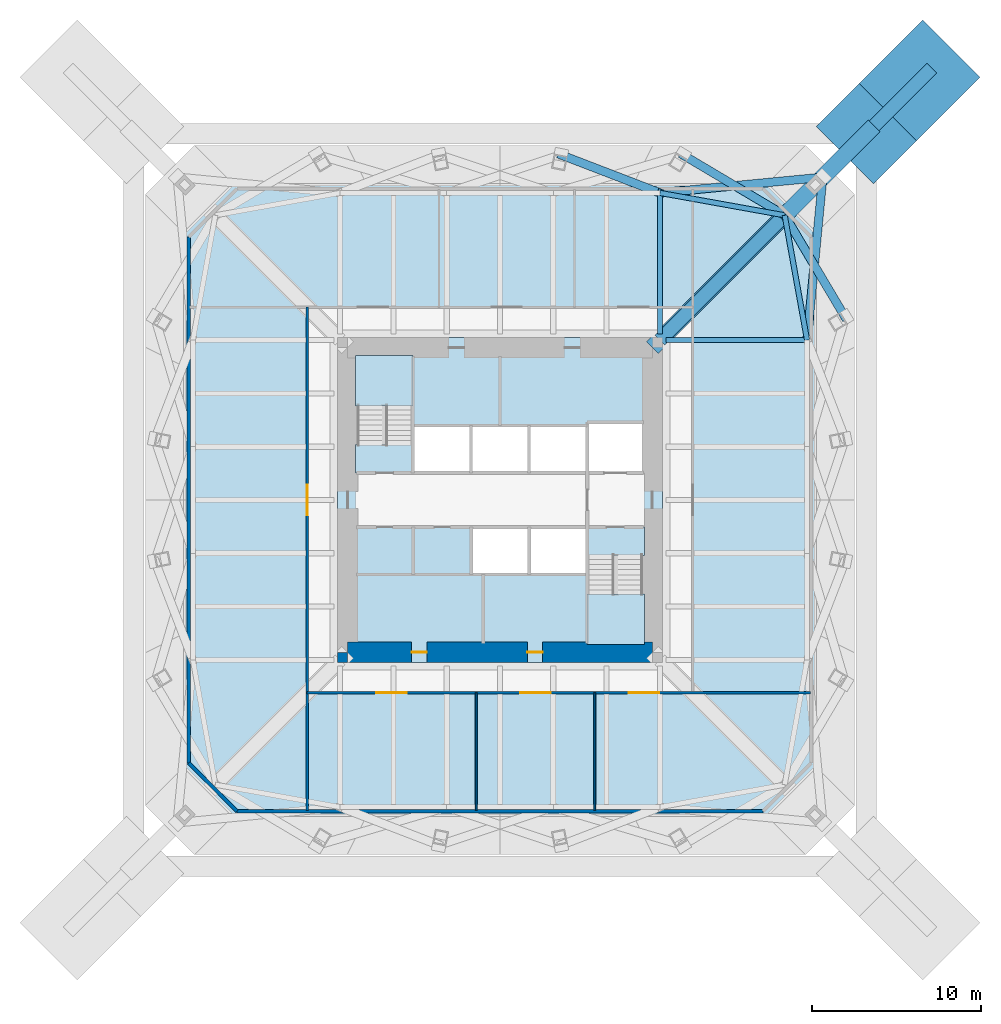
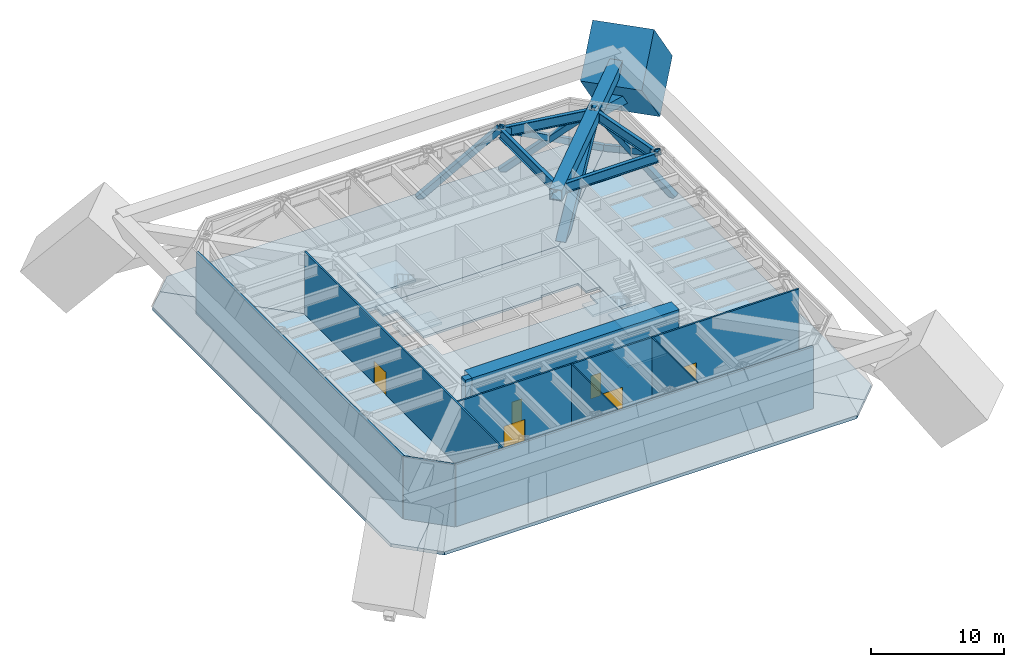
# One storey, part 3 of 6: 12 slabs, 10 members, 9 walls, 6 doors, 4 beams, 6 openings, 2 elements without a shape of their own.
"""IFC4 building model written with IfcOpenShell, lengths in metres."""

from ifc_helpers import new_model, si_unit, direction, frame, frame_2d, origin, origin_2d, place, context, subcontext, project, spatial, polyline, rectangle, hollow_rectangle, i_section, outline, extrude, material, layer, layer_set, constituent, constituent_set, material_profile, profile_set, type_object, element, fill, aggregate, save


model = new_model("IFC4")

# Units and contexts
model_context = context("Model", 3, precision=1e-05, world=origin(), true_north=direction((0.0, 1.0)))
body_context = subcontext(model_context, "Body", "Model", "MODEL_VIEW")
ifc_project = project(units=[si_unit("LENGTHUNIT", "METRE"), si_unit("AREAUNIT", "SQUARE_METRE"), si_unit("VOLUMEUNIT", "CUBIC_METRE"), si_unit("PLANEANGLEUNIT", "RADIAN"), si_unit("MASSUNIT", "GRAM", prefix="KILO")], contexts=[model_context])

# Site, building, storey
site_placement = place(None, origin())
site = spatial("IfcSite", under=ifc_project, at=site_placement, CompositionType="ELEMENT")
building_placement = place(site_placement, origin())
building = spatial("IfcBuilding", under=site, at=building_placement, Name="Iwan Alto Co-Living Towers", CompositionType="ELEMENT")
storey_placement = place(building_placement, frame((0.0, 0.0, 143.5)))
storey = spatial("IfcBuildingStorey", under=building, at=storey_placement, Name="L39", CompositionType="ELEMENT", Elevation=143.5)

# Beams
ifc_material_1 = material(Name="Steel ASTM A992 Gr 50", Category="steel")
ifc_material_profile_1 = material_profile(ifc_material_1, i_section(OverallWidth=0.307373046875, OverallDepth=0.927001953125, WebThickness=0.01953125, FlangeThickness=0.031982421875, at=origin_2d()), Name="W36X194")
ifc_profile_set_1 = profile_set([ifc_material_profile_1], Name="Steel ASTM A992 Gr 50")
beam_type_1 = type_object("IfcBeamType", Name="T1 BELT TRUSS CHORD W36X194", PredefinedType="BEAM", material=ifc_profile_set_1)
for number, where, z_axis, x_axis, name in (
    (1, (18.14990234375, 9.449951171875, 5.306396484375), (-0.17671181143, 0.98426263553, 0.0), (-0.98426263553, -0.17671181143, 0.0), "T1 edge beam E4 L40"),
    (2, (16.82568359375, 16.82568359375, 5.306396484375), (-0.98426263553, 0.17671181143, 0.0), (-0.17671181143, -0.98426263553, 0.0), "T1 edge beam CNE L40"),
):
    element("IfcBeam", number, at=place(storey_placement, frame(where, z_axis=z_axis, x_axis=x_axis)), inside=storey, type_object=beam_type_1, Name=name, PredefinedType="BEAM", context=body_context, shape_type="SweptSolid", body=[
        extrude(i_section(OverallWidth=0.307373046875, OverallDepth=0.927001953125, WebThickness=0.01953125, FlangeThickness=0.031982421875, at=origin_2d()), origin(), (0.0, 0.0, 1.0), 7.49365234375),
    ])

# Members
ifc_material_2 = material(Name="Steel ASTM A572 Gr 50", Category="steel")
ifc_material_profile_2 = material_profile(ifc_material_2, hollow_rectangle(XDim=0.5, YDim=0.5, WallThickness=0.031982421875, at=origin_2d()), Name="BOX 500X500X32")
ifc_profile_set_2 = profile_set([ifc_material_profile_2], Name="Steel ASTM A572 Gr 50")
member_type_1 = type_object("IfcMemberType", Name="T1 BELT TRUSS DIAGONAL BOX 500X500X32", PredefinedType="BRACE", material=ifc_profile_set_2)
member_1_placement = place(storey_placement, frame((20.39990234375, 10.800048828125, 0.0), z_axis=(-0.395738731505, 0.667160357396, 0.631100557681), x_axis=(-0.860074091201, -0.510169146112, 0.0)))
element("IfcMember", 3, at=member_1_placement, inside=storey, type_object=member_type_1, Name="T1 belt truss diagonal E4 L39 1", PredefinedType="BRACE", context=body_context, shape_type="SweptSolid", body=[
    extrude(hollow_rectangle(XDim=0.5, YDim=0.5, WallThickness=0.031982421875, at=origin_2d()), origin(), (0.0, 0.0, 1.0), 9.03173828125),
])
for number, where, z_axis, x_axis, name in (
    (4, (19.07568359375, 19.07568359375, 0.0), (-0.082474743391, -0.857524184509, 0.507789513169), (0.99540676225, -0.09573597896, 0.0), "T1 belt truss diagonal E4 L39 2"),
    (5, (19.07568359375, 19.07568359375, 0.0), (-0.857524184509, -0.082474743391, 0.507789513169), (0.09573597896, -0.99540676225, 0.0), "T1 belt truss diagonal CNE L39 1"),
):
    element("IfcMember", number, at=place(storey_placement, frame(where, z_axis=z_axis, x_axis=x_axis)), inside=storey, type_object=member_type_1, Name=name, PredefinedType="BRACE", context=body_context, shape_type="SweptSolid", body=[
        extrude(hollow_rectangle(XDim=0.5, YDim=0.5, WallThickness=0.031982421875, at=origin_2d()), origin(), (0.0, 0.0, 1.0), 11.22509765625),
    ])
member_2_placement = place(storey_placement, frame((10.800048828125, 20.39990234375, 0.0), z_axis=(0.667160357396, -0.395738731505, 0.631100557681), x_axis=(0.510169146112, 0.860074091201, 0.0)))
element("IfcMember", 6, at=member_2_placement, inside=storey, type_object=member_type_1, Name="T1 belt truss diagonal CNE L39 2", PredefinedType="BRACE", context=body_context, shape_type="SweptSolid", body=[
    extrude(hollow_rectangle(XDim=0.5, YDim=0.5, WallThickness=0.031982421875, at=origin_2d()), origin(), (0.0, 0.0, 1.0), 9.03173828125),
])
member_3_placement = place(storey_placement, frame((3.60009765625, 20.39990234375, 0.0), z_axis=(0.690502507157, -0.265584537622, 0.672808398422), x_axis=(0.358986909968, 0.933342594373, 0.0)))
element("IfcMember", 7, at=member_3_placement, inside=storey, type_object=member_type_1, Name="T1 belt truss diagonal N1 L39 2", PredefinedType="BRACE", context=body_context, shape_type="SweptSolid", body=[
    extrude(hollow_rectangle(XDim=0.5, YDim=0.5, WallThickness=0.031982421875, at=origin_2d()), origin(), (0.0, 0.0, 1.0), 8.471923828125),
])
ifc_material_3 = material(Name="Steel ASTM A572 Gr 50", Category="steel")
ifc_material_profile_3 = material_profile(ifc_material_3, hollow_rectangle(XDim=1.0, YDim=1.0, WallThickness=0.070068359375, at=origin_2d()), Name="BOX 1000X1000X70")
ifc_profile_set_3 = profile_set([ifc_material_profile_3], Name="Steel ASTM A572 Gr 50")
member_type_2 = type_object("IfcMemberType", Name="T1 OUTRIGGER CHORD BOX 1000X1000X70", PredefinedType="CHORD", material=ifc_profile_set_3)
member_4_placement = place(storey_placement, frame((9.0, 9.0, 5.27001953125), z_axis=(0.707106781187, 0.707106781187, 0.0), x_axis=(-0.707106781187, 0.707106781187, 0.0)))
element("IfcMember", 8, at=member_4_placement, inside=storey, type_object=member_type_2, Name="T1 outrigger NE L39 top chord 1", PredefinedType="CHORD", context=body_context, shape_type="SweptSolid", body=[
    extrude(hollow_rectangle(XDim=1.0, YDim=1.0, WallThickness=0.070068359375, at=origin_2d()), origin(), (0.0, 0.0, 1.0), 11.067138671875),
])
member_5_placement = place(storey_placement, frame((16.82568359375, 16.82568359375, 5.27001953125), z_axis=(0.707106781187, 0.707106781187, 0.0), x_axis=(-0.707106781187, 0.707106781187, 0.0)))
element("IfcMember", 9, at=member_5_placement, inside=storey, type_object=member_type_2, Name="T1 outrigger NE L39 top chord 2", PredefinedType="CHORD", context=body_context, shape_type="SweptSolid", body=[
    extrude(hollow_rectangle(XDim=1.0, YDim=1.0, WallThickness=0.070068359375, at=origin_2d()), origin(), (0.0, 0.0, 1.0), 7.4677734375),
])
ifc_material_4 = material(Name="Steel ASTM A572 Gr 42", Category="steel")
ifc_material_profile_4 = material_profile(ifc_material_4, hollow_rectangle(XDim=0.800048828125, YDim=0.800048828125, WallThickness=0.139892578125, at=origin_2d()), Name="BOX 800X800X140")
ifc_profile_set_4 = profile_set([ifc_material_profile_4], Name="Steel ASTM A572 Gr 42")
member_type_3 = type_object("IfcMemberType", Name="T1 OUTRIGGER DIAGONAL BOX 800X800X140", PredefinedType="BRACE", material=ifc_profile_set_4)
member_6_placement = place(storey_placement, frame((9.60009765625, 9.60009765625, -0.800048828125), z_axis=(0.607935427787, 0.607935427787, 0.51071423642), x_axis=(-0.707106781187, 0.707106781187, 0.0)))
element("IfcMember", 10, at=member_6_placement, inside=storey, type_object=member_type_3, Name="T1 outrigger NE L39 diagonal 1", PredefinedType="BRACE", context=body_context, shape_type="SweptSolid", body=[
    extrude(hollow_rectangle(XDim=0.800048828125, YDim=0.800048828125, WallThickness=0.139892578125, at=origin_2d()), origin(), (0.0, 0.0, 1.0), 11.885498046875),
])
member_7_placement = place(storey_placement, frame((16.82568359375, 16.82568359375, 5.27001953125), z_axis=(0.632305696112, 0.632305696112, -0.447637144716), x_axis=(-0.707106781187, 0.707106781187, 0.0)))
element("IfcMember", 11, at=member_7_placement, inside=storey, type_object=member_type_3, Name="T1 outrigger NE L39 diagonal 2", PredefinedType="BRACE", context=body_context, shape_type="SweptSolid", body=[
    extrude(hollow_rectangle(XDim=0.800048828125, YDim=0.800048828125, WallThickness=0.139892578125, at=origin_2d()), origin(), (0.0, 0.0, 1.0), 13.560302734375),
])

# Beams
ifc_material_5 = material(Name="Steel ASTM A992 Gr 50", Category="steel")
ifc_material_profile_5 = material_profile(ifc_material_5, i_section(OverallWidth=0.307373046875, OverallDepth=0.927001953125, WebThickness=0.01953125, FlangeThickness=0.031982421875, at=origin_2d()), Name="W36X194")
ifc_profile_set_5 = profile_set([ifc_material_profile_5], Name="Steel ASTM A992 Gr 50")
beam_type_2 = type_object("IfcBeamType", Name="T1 RADIAL BEAM W36X194", PredefinedType="BEAM", material=ifc_profile_set_5)
for number, where, z_axis, x_axis, name in (
    (12, (18.14990234375, 9.449951171875, 5.306396484375), (-1.0, 0.0, 0.0), (0.0, -1.0, 0.0), "T1 radial beam E4 L40"),
    (13, (9.449951171875, 18.14990234375, 5.306396484375), (0.0, -1.0, 0.0), (1.0, 0.0, 0.0), "T1 radial beam N1 L40"),
):
    element("IfcBeam", number, at=place(storey_placement, frame(where, z_axis=z_axis, x_axis=x_axis)), inside=storey, type_object=beam_type_2, Name=name, PredefinedType="BEAM", context=body_context, shape_type="SweptSolid", body=[
        extrude(i_section(OverallWidth=0.307373046875, OverallDepth=0.927001953125, WebThickness=0.01953125, FlangeThickness=0.031982421875, at=origin_2d()), origin(), (0.0, 0.0, 1.0), 8.33154296875),
    ])

# Member
ifc_material_6 = material(Name="Concrete f'c 70 MPa", Category="concrete")
ifc_material_profile_6 = material_profile(ifc_material_6, rectangle(XDim=4.800048828125, YDim=4.800048828125, at=origin_2d()), Name="RC 4800X4800")
ifc_profile_set_6 = profile_set([ifc_material_profile_6], Name="Concrete f'c 70 MPa")
member_type_4 = type_object("IfcMemberType", Name="T1 RAKING MEGA COLUMN RC 4800X4800", PredefinedType="MEMBER", material=ifc_profile_set_6)
member_8_placement = place(storey_placement, frame((25.39990234375, 25.39990234375, 0.0), z_axis=(-0.468292905791, -0.468292905791, 0.749268649265), x_axis=(0.707106781187, -0.707106781187, 0.0)))
element("IfcMember", 14, at=member_8_placement, inside=storey, type_object=member_type_4, Name="T1 raking mega column NE L39", PredefinedType="MEMBER", context=body_context, shape_type="SweptSolid", body=[
    extrude(rectangle(XDim=4.800048828125, YDim=4.800048828125, at=origin_2d()), origin(), (0.0, 0.0, 1.0), 8.0078125),
    extrude(i_section(OverallWidth=0.4775390625, OverallDepth=0.599365234375, WebThickness=0.10009765625, FlangeThickness=0.139892578125, at=origin_2d()), origin(), (0.0, 0.0, 1.0), 8.0078125),
])

# Slabs
ifc_material_7 = material(Name="Concrete f'c 30 MPa", Category="concrete")
ifc_layer_1 = layer(ifc_material_7, 0.199951171875)
ifc_layer_set_1 = layer_set([ifc_layer_1], Name="CORE FLOOR SLAB 200")
slab_type_1 = type_object("IfcSlabType", Name="CORE FLOOR SLAB 200", PredefinedType="FLOOR", material=ifc_layer_set_1)
slab_1_placement = place(storey_placement, frame((0.0, 0.0, -0.199951171875)))
element("IfcSlab", 15, at=slab_1_placement, inside=storey, type_object=slab_type_1, Name="T1 core floor and outrigger diaphragm L39", PredefinedType="FLOOR", context=body_context, shape_type="SweptSolid", body=[
    extrude(outline(polyline([(5.14990234375, -1.60009765625), (1.72509765625, -1.60009765625), (-1.699951171875, -1.60009765625), (-1.699951171875, -4.39990234375), (1.72509765625, -4.39990234375), (5.14990234375, -4.39990234375), (5.14990234375, -8.39990234375), (6.360107421875, -8.39990234375), (6.360107421875, -9.60009765625), (-9.60009765625, -9.60009765625), (-9.60009765625, 4.47998046875), (-8.39990234375, 4.47998046875), (-8.39990234375, 3.27001953125), (-5.14990234375, 3.27001953125), (-5.14990234375, 1.60009765625), (-1.717041015625, 1.60009765625), (1.717041015625, 1.60009765625), (5.14990234375, 1.60009765625), (8.39990234375, 1.60009765625), (8.39990234375, 2.81005859375), (9.60009765625, 2.81005859375), (9.60009765625, -4.47998046875), (8.39990234375, -4.47998046875), (8.39990234375, -3.27001953125), (5.14990234375, -3.27001953125), (5.14990234375, -1.60009765625)])), origin(), (0.0, 0.0, 1.0), 0.199951171875),
])
slab_2_placement = place(storey_placement, frame((0.0, 0.0, -0.199951171875)))
element("IfcSlab", 16, at=slab_2_placement, inside=storey, type_object=slab_type_1, Name="T1 core floor and outrigger diaphragm L39", PredefinedType="FLOOR", context=body_context, shape_type="SweptSolid", body=[
    extrude(outline(polyline([(1.717041015625, 4.39990234375), (-1.717041015625, 4.39990234375), (-5.14990234375, 4.39990234375), (-5.14990234375, 8.39990234375), (-6.360107421875, 8.39990234375), (-6.360107421875, 9.60009765625), (9.60009765625, 9.60009765625), (9.60009765625, 3.389892578125), (8.39990234375, 3.389892578125), (8.39990234375, 4.60009765625), (5.14990234375, 4.60009765625), (5.14990234375, 4.39990234375), (1.717041015625, 4.39990234375)])), origin(), (0.0, 0.0, 1.0), 0.199951171875),
])

# Stair, slabs
ifc_material_8 = material(Name="Steel ASTM A36", Category="steel")
ifc_constituent_1 = constituent(ifc_material_8, Name="Stringers", Category="LoadBearing")
ifc_material_9 = material(Name="Concrete f'c 30 MPa", Category="concrete")
ifc_constituent_2 = constituent(ifc_material_9, Name="Tread fill", Category="Finish")
ifc_constituent_set = constituent_set(constituents=[ifc_constituent_1, ifc_constituent_2], Name="STAIR 6000 FOUR-FLIGHT T1 CORE")
stair_type = type_object("IfcStairType", Name="STAIR 6000 FOUR-FLIGHT T1 CORE", PredefinedType="HALF_TURN_STAIR", material=ifc_constituent_set)
stair_1_placement = place(storey_placement, origin())
stair_1 = element("IfcStair", 17, at=stair_1_placement, inside=storey, type_object=stair_type, Name="Stair T1-S1 L39 to L40", PredefinedType="HALF_TURN_STAIR")
ifc_material_10 = material(Name="Concrete f'c 30 MPa", Category="concrete")
ifc_layer_2 = layer(ifc_material_10, 0.199951171875)
ifc_layer_set_2 = layer_set([ifc_layer_2], Name="STAIR LANDING 200")
slab_type_2 = type_object("IfcSlabType", Name="STAIR LANDING 200", PredefinedType="LANDING", material=ifc_layer_set_2)
slab_3_placement = place(storey_placement, frame((0.0, 0.0, 1.300048828125)))
slab_3 = element("IfcSlab", 18, at=slab_3_placement, type_object=slab_type_2, Name="T1-S1 landing 1", PredefinedType="LANDING", context=body_context, shape_type="SweptSolid", body=[
    extrude(outline(polyline([(-8.550048828125, 5.570068359375), (-8.550048828125, 8.550048828125), (-5.14990234375, 8.550048828125), (-5.14990234375, 5.570068359375), (-8.550048828125, 5.570068359375)])), origin(), (0.0, 0.0, 1.0), 0.199951171875),
])
slab_4_placement = place(storey_placement, frame((0.0, 0.0, 2.800048828125)))
slab_4 = element("IfcSlab", 19, at=slab_4_placement, type_object=slab_type_2, Name="T1-S1 landing 2", PredefinedType="LANDING", context=body_context, shape_type="SweptSolid", body=[
    extrude(outline(polyline([(-8.550048828125, 1.60009765625), (-8.550048828125, 3.27001953125), (-5.14990234375, 3.27001953125), (-5.14990234375, 1.60009765625), (-8.550048828125, 1.60009765625)])), origin(), (0.0, 0.0, 1.0), 0.199951171875),
])
slab_5_placement = place(storey_placement, frame((0.0, 0.0, 4.300048828125)))
slab_5 = element("IfcSlab", 20, at=slab_5_placement, type_object=slab_type_2, Name="T1-S1 landing 3", PredefinedType="LANDING", context=body_context, shape_type="SweptSolid", body=[
    extrude(outline(polyline([(-8.550048828125, 5.570068359375), (-8.550048828125, 8.550048828125), (-5.14990234375, 8.550048828125), (-5.14990234375, 5.570068359375), (-8.550048828125, 5.570068359375)])), origin(), (0.0, 0.0, 1.0), 0.199951171875),
])
aggregate(stair_1, [slab_3, slab_4, slab_5])

stair_2_placement = place(storey_placement, origin())
stair_2 = element("IfcStair", 21, at=stair_2_placement, inside=storey, type_object=stair_type, Name="Stair T1-S2 L39 to L40", PredefinedType="HALF_TURN_STAIR")
slab_6_placement = place(storey_placement, frame((0.0, 0.0, 1.300048828125)))
slab_6 = element("IfcSlab", 22, at=slab_6_placement, type_object=slab_type_2, Name="T1-S2 landing 1", PredefinedType="LANDING", context=body_context, shape_type="SweptSolid", body=[
    extrude(outline(polyline([(5.14990234375, -5.570068359375), (5.14990234375, -8.550048828125), (8.550048828125, -8.550048828125), (8.550048828125, -5.570068359375), (5.14990234375, -5.570068359375)])), origin(), (0.0, 0.0, 1.0), 0.199951171875),
])
slab_7_placement = place(storey_placement, frame((0.0, 0.0, 2.800048828125)))
slab_7 = element("IfcSlab", 23, at=slab_7_placement, type_object=slab_type_2, Name="T1-S2 landing 2", PredefinedType="LANDING", context=body_context, shape_type="SweptSolid", body=[
    extrude(outline(polyline([(5.14990234375, -1.60009765625), (5.14990234375, -3.27001953125), (8.550048828125, -3.27001953125), (8.550048828125, -1.60009765625), (5.14990234375, -1.60009765625)])), origin(), (0.0, 0.0, 1.0), 0.199951171875),
])
slab_8_placement = place(storey_placement, frame((0.0, 0.0, 4.300048828125)))
slab_8 = element("IfcSlab", 24, at=slab_8_placement, type_object=slab_type_2, Name="T1-S2 landing 3", PredefinedType="LANDING", context=body_context, shape_type="SweptSolid", body=[
    extrude(outline(polyline([(5.14990234375, -5.570068359375), (5.14990234375, -8.550048828125), (8.550048828125, -8.550048828125), (8.550048828125, -5.570068359375), (5.14990234375, -5.570068359375)])), origin(), (0.0, 0.0, 1.0), 0.199951171875),
])
aggregate(stair_2, [slab_6, slab_7, slab_8])

# Slabs
ifc_material_11 = material(Name="Concrete f'c 30 MPa", Category="concrete")
ifc_layer_3 = layer(ifc_material_11, 0.300048828125)
ifc_layer_set_3 = layer_set([ifc_layer_3], Name="T1 FLOOR SLAB 300")
slab_type_3 = type_object("IfcSlabType", Name="T1 FLOOR SLAB 300", PredefinedType="FLOOR", material=ifc_layer_set_3)
slab_9_placement = place(storey_placement, frame((0.0, 0.0, -0.300048828125)))
element("IfcSlab", 25, at=slab_9_placement, inside=storey, type_object=slab_type_3, Name="T1 floor slab L39 S pour", PredefinedType="FLOOR", context=body_context, shape_type="SweptSolid", body=[
    extrude(outline(polyline([(17.94140625, -20.89990234375), (-17.94140625, -20.89990234375), (-19.420654296875, -19.420654296875), (-9.60009765625, -9.60009765625), (9.60009765625, -9.60009765625), (19.420654296875, -19.420654296875), (17.94140625, -20.89990234375)])), origin(), (0.0, 0.0, 1.0), 0.300048828125),
])
slab_10_placement = place(storey_placement, frame((0.0, 0.0, -0.300048828125)))
element("IfcSlab", 26, at=slab_10_placement, inside=storey, type_object=slab_type_3, Name="T1 floor slab L39 E pour", PredefinedType="FLOOR", context=body_context, shape_type="SweptSolid", body=[
    extrude(outline(polyline([(20.89990234375, 17.94140625), (20.89990234375, -17.94140625), (19.420654296875, -19.420654296875), (9.60009765625, -9.60009765625), (9.60009765625, 9.60009765625), (19.420654296875, 19.420654296875), (20.89990234375, 17.94140625)])), origin(), (0.0, 0.0, 1.0), 0.300048828125),
])
slab_11_placement = place(storey_placement, frame((0.0, 0.0, -0.300048828125)))
element("IfcSlab", 27, at=slab_11_placement, inside=storey, type_object=slab_type_3, Name="T1 floor slab L39 N pour", PredefinedType="FLOOR", context=body_context, shape_type="SweptSolid", body=[
    extrude(outline(polyline([(-17.94140625, 20.89990234375), (17.94140625, 20.89990234375), (19.420654296875, 19.420654296875), (9.60009765625, 9.60009765625), (-9.60009765625, 9.60009765625), (-19.420654296875, 19.420654296875), (-17.94140625, 20.89990234375)])), origin(), (0.0, 0.0, 1.0), 0.300048828125),
])
slab_12_placement = place(storey_placement, frame((0.0, 0.0, -0.300048828125)))
element("IfcSlab", 28, at=slab_12_placement, inside=storey, type_object=slab_type_3, Name="T1 floor slab L39 W pour", PredefinedType="FLOOR", context=body_context, shape_type="SweptSolid", body=[
    extrude(outline(polyline([(-20.89990234375, 17.94140625), (-19.420654296875, 19.420654296875), (-9.60009765625, 9.60009765625), (-9.60009765625, -9.60009765625), (-19.420654296875, -19.420654296875), (-20.89990234375, -17.94140625), (-20.89990234375, 17.94140625)])), origin(), (0.0, 0.0, 1.0), 0.300048828125),
])

# Wall, openings, doors
ifc_material_12 = material(Name="Gypsum board")
ifc_layer_4 = layer(ifc_material_12, 0.02490234375, Name="Board", Category="Finish")
ifc_material_13 = material(Name="Steel ASTM A1003 ST33H cold-formed studs", Category="steel")
ifc_layer_5 = layer(ifc_material_13, 0.10009765625, Name="Studs", Category="Framing")
ifc_layer_6 = layer(ifc_material_12, 0.02490234375, Name="Board", Category="Finish")
ifc_layer_set_4 = layer_set([ifc_layer_4, ifc_layer_5, ifc_layer_6], Name="CORRIDOR WALL 150")
wall_type_1 = type_object("IfcWallType", Name="CORRIDOR WALL 150", PredefinedType="PARTITIONING", material=ifc_layer_set_4)
wall_1_placement = place(storey_placement, frame((-11.39990234375, -11.39990234375, 0.0), z_axis=(0.0, 0.0, 1.0), x_axis=(1.0, 0.0, 0.0)))
wall_1 = element("IfcWall", 29, at=wall_1_placement, inside=storey, type_object=wall_type_1, Name="Partition L39", PredefinedType="PARTITIONING", context=body_context, shape_type="SweptSolid", body=[
    extrude(rectangle(XDim=29.739990234375, YDim=0.14990234375, at=frame_2d((14.8701171875, 0.0))), origin(), (0.0, 0.0, 1.0), 5.77001953125),
])
opening_1_placement = place(wall_1_placement, frame((4.10009765625, 0.0, 0.0)))
opening_1 = element("IfcOpeningElement", 30, at=opening_1_placement, cuts=wall_1, Name="Opening D9", PredefinedType="OPENING", context=body_context, shape_type="SweptSolid", body=[
    extrude(rectangle(XDim=1.800048828125, YDim=2.10009765625, at=frame_2d((0.89990234375, 1.050048828125))), frame((0.0, 0.0849609375, 0.0), z_axis=(0.0, -1.0, 0.0), x_axis=(1.0, 0.0, 0.0)), (0.0, 0.0, 1.0), 0.169921875),
])
opening_2_placement = place(wall_1_placement, frame((12.60009765625, 0.0, 0.0)))
opening_2 = element("IfcOpeningElement", 31, at=opening_2_placement, cuts=wall_1, Name="Opening D9", PredefinedType="OPENING", context=body_context, shape_type="SweptSolid", body=[
    extrude(rectangle(XDim=1.800048828125, YDim=2.10009765625, at=frame_2d((0.89990234375, 1.050048828125))), frame((0.0, 0.0849609375, 0.0), z_axis=(0.0, -1.0, 0.0), x_axis=(1.0, 0.0, 0.0)), (0.0, 0.0, 1.0), 0.169921875),
])
opening_3_placement = place(wall_1_placement, frame((19.0, 0.0, 0.0)))
opening_3 = element("IfcOpeningElement", 32, at=opening_3_placement, cuts=wall_1, Name="Opening D9", PredefinedType="OPENING", context=body_context, shape_type="SweptSolid", body=[
    extrude(rectangle(XDim=1.800048828125, YDim=2.10009765625, at=frame_2d((0.89990234375, 1.050048828125))), frame((0.0, 0.0849609375, 0.0), z_axis=(0.0, -1.0, 0.0), x_axis=(1.0, 0.0, 0.0)), (0.0, 0.0, 1.0), 0.169921875),
])
ifc_material_14 = material(Name="Steel frame with timber leaf", Category="steel")
door_type_1 = type_object("IfcDoorType", Name="LOUNGE DOOR FD30S 1800X2100", OperationType="DOUBLE_DOOR_SINGLE_SWING", PredefinedType="DOOR", material=ifc_material_14)
door_1_placement = place(opening_1_placement, frame((1.800048828125, 0.0, 0.0), z_axis=(0.0, 0.0, 1.0), x_axis=(-1.0, 0.0, 0.0)))
door_1 = element("IfcDoor", 33, at=door_1_placement, inside=storey, type_object=door_type_1, Name="Water tank room door L39", OperationType="DOUBLE_DOOR_SINGLE_SWING", OverallHeight=2.10009765625, OverallWidth=1.800048828125, PredefinedType="DOOR", context=body_context, shape_type="SweptSolid", body=[
    extrude(rectangle(XDim=1.800048828125, YDim=2.10009765625, at=frame_2d((0.89990234375, 1.050048828125))), frame((0.0, 0.02490234375, 0.0), z_axis=(0.0, -1.0, 0.0), x_axis=(1.0, 0.0, 0.0)), (0.0, 0.0, 1.0), 0.050048828125),
])
fill(opening_1, door_1)
door_2_placement = place(opening_2_placement, frame((1.800048828125, 0.0, 0.0), z_axis=(0.0, 0.0, 1.0), x_axis=(-1.0, 0.0, 0.0)))
door_2 = element("IfcDoor", 34, at=door_2_placement, inside=storey, type_object=door_type_1, Name="Plant room (heat exchangers) door L39", OperationType="DOUBLE_DOOR_SINGLE_SWING", OverallHeight=2.10009765625, OverallWidth=1.800048828125, PredefinedType="DOOR", context=body_context, shape_type="SweptSolid", body=[
    extrude(rectangle(XDim=1.800048828125, YDim=2.10009765625, at=frame_2d((0.89990234375, 1.050048828125))), frame((0.0, 0.02490234375, 0.0), z_axis=(0.0, -1.0, 0.0), x_axis=(1.0, 0.0, 0.0)), (0.0, 0.0, 1.0), 0.050048828125),
])
fill(opening_2, door_2)
door_3_placement = place(opening_3_placement, frame((1.800048828125, 0.0, 0.0), z_axis=(0.0, 0.0, 1.0), x_axis=(-1.0, 0.0, 0.0)))
door_3 = element("IfcDoor", 35, at=door_3_placement, inside=storey, type_object=door_type_1, Name="Plant room (pumps) door L39", OperationType="DOUBLE_DOOR_SINGLE_SWING", OverallHeight=2.10009765625, OverallWidth=1.800048828125, PredefinedType="DOOR", context=body_context, shape_type="SweptSolid", body=[
    extrude(rectangle(XDim=1.800048828125, YDim=2.10009765625, at=frame_2d((0.89990234375, 1.050048828125))), frame((0.0, 0.02490234375, 0.0), z_axis=(0.0, -1.0, 0.0), x_axis=(1.0, 0.0, 0.0)), (0.0, 0.0, 1.0), 0.050048828125),
])
fill(opening_3, door_3)

# Wall, opening, door
wall_2_placement = place(storey_placement, frame((-11.39990234375, -18.340087890625, 0.0), z_axis=(0.0, 0.0, 1.0), x_axis=(0.0, 1.0, 0.0)))
wall_2 = element("IfcWall", 36, at=wall_2_placement, inside=storey, type_object=wall_type_1, Name="Partition L39", PredefinedType="PARTITIONING", context=body_context, shape_type="SweptSolid", body=[
    extrude(rectangle(XDim=29.739990234375, YDim=0.14990234375, at=frame_2d((14.8701171875, 0.0))), origin(), (0.0, 0.0, 1.0), 5.77001953125),
])
opening_4_placement = place(wall_2_placement, frame((17.43994140625, 0.0, 0.0)))
opening_4 = element("IfcOpeningElement", 37, at=opening_4_placement, cuts=wall_2, Name="Opening D9", PredefinedType="OPENING", context=body_context, shape_type="SweptSolid", body=[
    extrude(rectangle(XDim=1.800048828125, YDim=2.10009765625, at=frame_2d((0.89990234375, 1.050048828125))), frame((0.0, 0.0849609375, 0.0), z_axis=(0.0, -1.0, 0.0), x_axis=(1.0, 0.0, 0.0)), (0.0, 0.0, 1.0), 0.169921875),
])
door_4_placement = place(opening_4_placement, frame((1.800048828125, 0.0, 0.0), z_axis=(0.0, 0.0, 1.0), x_axis=(-1.0, 0.0, 0.0)))
door_4 = element("IfcDoor", 38, at=door_4_placement, inside=storey, type_object=door_type_1, Name="Refuge area door L39", OperationType="DOUBLE_DOOR_SINGLE_SWING", OverallHeight=2.10009765625, OverallWidth=1.800048828125, PredefinedType="DOOR", context=body_context, shape_type="SweptSolid", body=[
    extrude(rectangle(XDim=1.800048828125, YDim=2.10009765625, at=frame_2d((0.89990234375, 1.050048828125))), frame((0.0, 0.02490234375, 0.0), z_axis=(0.0, -1.0, 0.0), x_axis=(1.0, 0.0, 0.0)), (0.0, 0.0, 1.0), 0.050048828125),
])
fill(opening_4, door_4)

# Walls
ifc_layer_7 = layer(ifc_material_12, 0.012451171875, Name="Board", Category="Finish")
ifc_layer_8 = layer(ifc_material_13, 0.074951171875, Name="Studs", Category="Framing")
ifc_layer_9 = layer(ifc_material_12, 0.012451171875, Name="Board", Category="Finish")
ifc_layer_set_5 = layer_set([ifc_layer_7, ifc_layer_8, ifc_layer_9], Name="PARTITION 100")
wall_type_2 = type_object("IfcWallType", Name="PARTITION 100", PredefinedType="PARTITIONING", material=ifc_layer_set_5)
for number, where, z_axis, x_axis, name in (
    (39, (5.60009765625, -18.340087890625, 0.0), (0.0, 0.0, 1.0), (0.0, 1.0, 0.0), "Partition L39"),
    (40, (-1.39990234375, -18.340087890625, 0.0), (0.0, 0.0, 1.0), (0.0, 1.0, 0.0), "Partition L39"),
):
    element("IfcWall", number, at=place(storey_placement, frame(where, z_axis=z_axis, x_axis=x_axis)), inside=storey, type_object=wall_type_2, Name=name, PredefinedType="PARTITIONING", context=body_context, shape_type="SweptSolid", body=[
        extrude(rectangle(XDim=6.940185546875, YDim=0.10009765625, at=frame_2d((3.47021484375, 0.0))), origin(), (0.0, 0.0, 1.0), 5.77001953125),
    ])
ifc_material_15 = material(Name="Aluminium 6063-T6 bronze anodised", Category="aluminium")
ifc_layer_10 = layer(ifc_material_15, 0.050048828125, Name="Louvred screen", Category="Finish")
ifc_layer_11 = layer(ifc_material_13, 0.14990234375, Name="Studs", Category="Framing")
ifc_layer_set_6 = layer_set([ifc_layer_10, ifc_layer_11], Name="PLANT PLENUM WALL 200")
wall_type_3 = type_object("IfcWallType", Name="PLANT PLENUM WALL 200", PredefinedType="PARTITIONING", material=ifc_layer_set_6)
for number, where, z_axis, x_axis, name in (
    (41, (-15.544921875, -18.39990234375, 0.0), (0.0, 0.0, 1.0), (1.0, 0.0, 0.0), "T1 plant plenum wall L39 1"),
    (42, (-18.39990234375, 15.544921875, 0.0), (0.0, 0.0, 1.0), (0.0, -1.0, 0.0), "T1 plant plenum wall L39 7"),
):
    element("IfcWall", number, at=place(storey_placement, frame(where, z_axis=z_axis, x_axis=x_axis)), inside=storey, type_object=wall_type_3, Name=name, PredefinedType="PARTITIONING", context=body_context, shape_type="SweptSolid", body=[
        extrude(rectangle(XDim=31.08984375, YDim=0.199951171875, at=frame_2d((15.544921875, 0.0))), origin(), (0.0, 0.0, 1.0), 5.699951171875),
    ])
wall_3_placement = place(storey_placement, frame((-18.39990234375, -15.544921875, 0.0), z_axis=(0.0, 0.0, 1.0), x_axis=(0.707106781187, -0.707106781187, 0.0)))
element("IfcWall", 43, at=wall_3_placement, inside=storey, type_object=wall_type_3, Name="T1 plant plenum wall L39 8", PredefinedType="PARTITIONING", context=body_context, shape_type="SweptSolid", body=[
    extrude(rectangle(XDim=4.03759765625, YDim=0.199951171875, at=frame_2d((2.018798828125, 0.0))), origin(), (0.0, 0.0, 1.0), 5.699951171875),
])
ifc_material_16 = material(Name="Concrete f'c 70 MPa", Category="concrete")
ifc_layer_12 = layer(ifc_material_16, 0.60009765625)
ifc_layer_set_7 = layer_set([ifc_layer_12], Name="T1 CORE CORNER FILL 600")
wall_type_4 = type_object("IfcWallType", Name="T1 CORE CORNER FILL 600", PredefinedType="SOLIDWALL", material=ifc_layer_set_7)
wall_4_placement = place(storey_placement, frame((-9.60009765625, -9.300048828125, 0.0), z_axis=(0.0, 0.0, 1.0), x_axis=(1.0, 0.0, 0.0)))
element("IfcWall", 44, at=wall_4_placement, inside=storey, type_object=wall_type_4, Name="T1 core corner SW L39", PredefinedType="SOLIDWALL", context=body_context, shape_type="SweptSolid", body=[
    extrude(rectangle(XDim=0.60009765625, YDim=0.60009765625, at=frame_2d((0.300048828125, 0.0))), origin(), (0.0, 0.0, 1.0), 6.0),
])

# Wall, openings, doors
ifc_material_17 = material(Name="Concrete f'c 70 MPa", Category="concrete")
ifc_layer_13 = layer(ifc_material_17, 1.199951171875)
ifc_layer_set_8 = layer_set([ifc_layer_13], Name="T1 CORE WALL 1200")
wall_type_5 = type_object("IfcWallType", Name="T1 CORE WALL 1200", PredefinedType="SHEAR", material=ifc_layer_set_8)
wall_5_placement = place(storey_placement, frame((-9.0, -9.0, 0.0), z_axis=(0.0, 0.0, 1.0), x_axis=(1.0, 0.0, 0.0)))
wall_5 = element("IfcWall", 45, at=wall_5_placement, inside=storey, type_object=wall_type_5, Name="T1 core wall S L39", PredefinedType="SHEAR", context=body_context, shape_type="SweptSolid", body=[
    extrude(rectangle(XDim=18.0, YDim=1.199951171875, at=frame_2d((9.0, 0.0))), origin(), (0.0, 0.0, 1.0), 6.0),
])
opening_5_placement = place(wall_5_placement, frame((3.77490234375, 0.0, 0.0)))
opening_5 = element("IfcOpeningElement", 46, at=opening_5_placement, cuts=wall_5, Name="Opening D8", PredefinedType="OPENING", context=body_context, shape_type="SweptSolid", body=[
    extrude(rectangle(XDim=0.89990234375, YDim=2.10009765625, at=frame_2d((0.449951171875, 1.050048828125))), frame((0.0, 0.60986328125, 0.0), z_axis=(0.0, -1.0, 0.0), x_axis=(1.0, 0.0, 0.0)), (0.0, 0.0, 1.0), 1.219970703125),
])
opening_6_placement = place(wall_5_placement, frame((10.625, 0.0, 0.0)))
opening_6 = element("IfcOpeningElement", 47, at=opening_6_placement, cuts=wall_5, Name="Opening D8", PredefinedType="OPENING", context=body_context, shape_type="SweptSolid", body=[
    extrude(rectangle(XDim=0.89990234375, YDim=2.10009765625, at=frame_2d((0.449951171875, 1.050048828125))), frame((0.0, 0.60986328125, 0.0), z_axis=(0.0, -1.0, 0.0), x_axis=(1.0, 0.0, 0.0)), (0.0, 0.0, 1.0), 1.219970703125),
])
ifc_material_18 = material(Name="Steel frame with timber leaf", Category="steel")
door_type_2 = type_object("IfcDoorType", Name="RISER DOOR FD120 900X2100", OperationType="SINGLE_SWING_LEFT", PredefinedType="DOOR", material=ifc_material_18)
door_5_placement = place(opening_5_placement, origin())
door_5 = element("IfcDoor", 48, at=door_5_placement, inside=storey, type_object=door_type_2, Name="Refuse chute riser core door L39", OperationType="SINGLE_SWING_LEFT", OverallHeight=2.10009765625, OverallWidth=0.89990234375, PredefinedType="DOOR", context=body_context, shape_type="SweptSolid", body=[
    extrude(rectangle(XDim=0.89990234375, YDim=2.10009765625, at=frame_2d((0.449951171875, 1.050048828125))), frame((0.0, 0.02490234375, 0.0), z_axis=(0.0, -1.0, 0.0), x_axis=(1.0, 0.0, 0.0)), (0.0, 0.0, 1.0), 0.050048828125),
])
fill(opening_5, door_5)
door_6_placement = place(opening_6_placement, origin())
door_6 = element("IfcDoor", 49, at=door_6_placement, inside=storey, type_object=door_type_2, Name="Telecom riser core door L39", OperationType="SINGLE_SWING_LEFT", OverallHeight=2.10009765625, OverallWidth=0.89990234375, PredefinedType="DOOR", context=body_context, shape_type="SweptSolid", body=[
    extrude(rectangle(XDim=0.89990234375, YDim=2.10009765625, at=frame_2d((0.449951171875, 1.050048828125))), frame((0.0, 0.02490234375, 0.0), z_axis=(0.0, -1.0, 0.0), x_axis=(1.0, 0.0, 0.0)), (0.0, 0.0, 1.0), 0.050048828125),
])
fill(opening_6, door_6)

save(model, "model.ifc")
